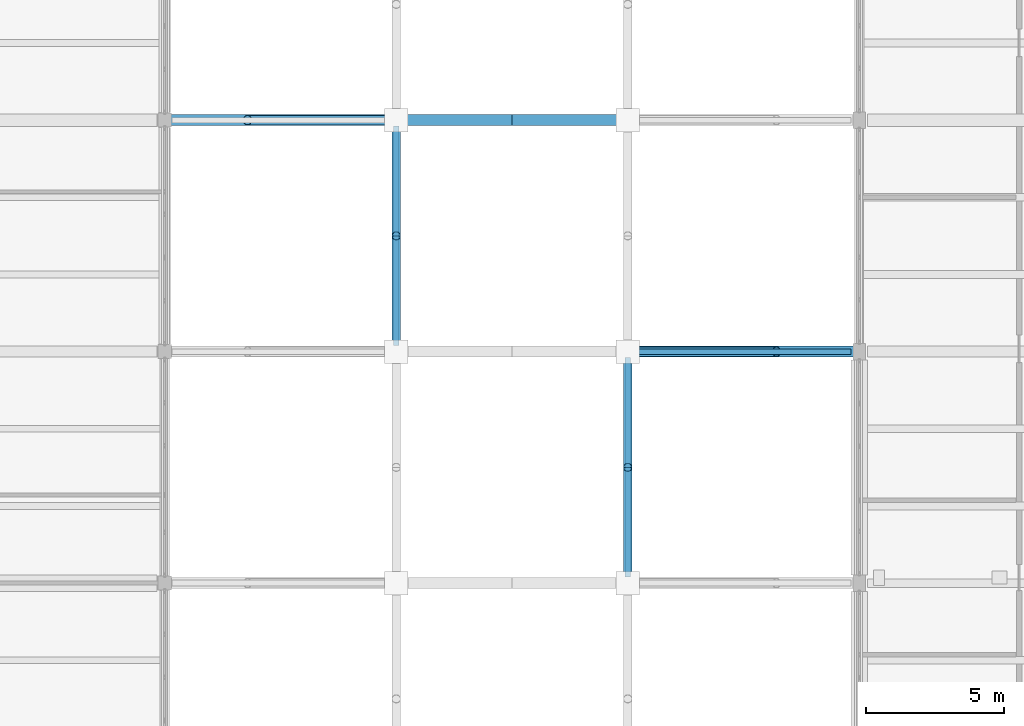
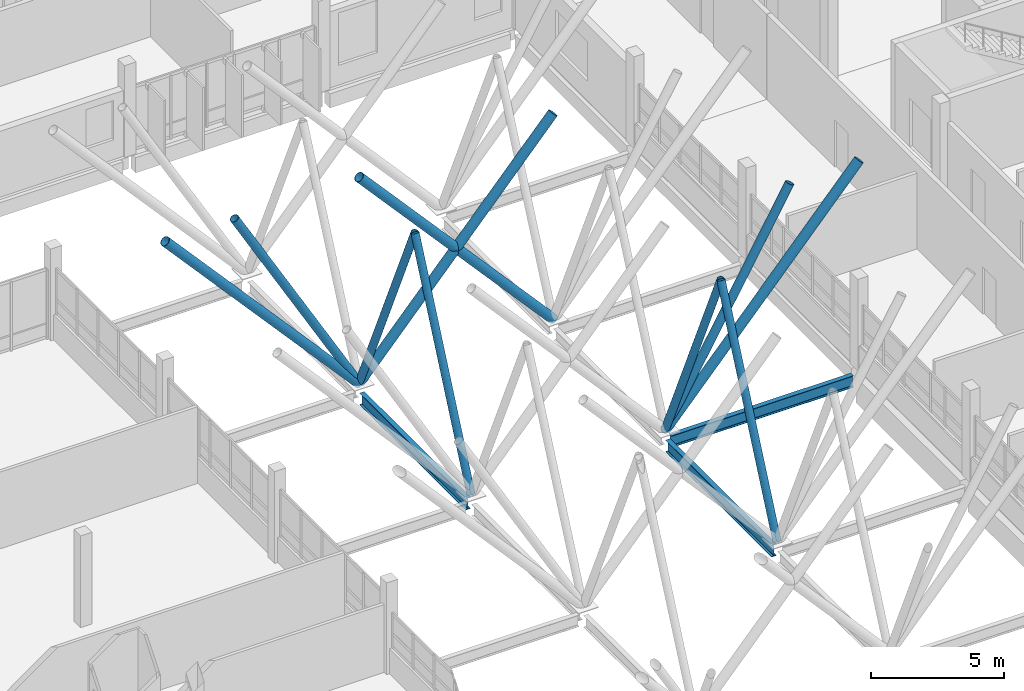
# One storey, part 27 of 107: 10 members, 3 beams.
"""IFC4 building model written with IfcOpenShell, lengths in metres."""

import ifcopenshell
import ifcopenshell.guid

model = None  # the IFC model being written
_history = None  # IfcOwnerHistory: only IFC2X3 demands one
_inside = {}  # id of a spatial element -> (the spatial element, [elements in it])
_under = {}  # id of a project, library or spatial element -> (it, [spatial elements below it])
_declared = {}  # id of a project -> (the project, [libraries it declares])
_typed = {}  # id of a type object -> (the type object, [elements of that type])
_made_of = {}  # id of a material, layer set ... -> (it, [elements and type objects made of it])


def new_model(schema):
    """Start an empty IFC model of exactly this schema.

    Asked for "IFC4X3", IfcOpenShell would pick the latest addendum, in which some entities
    have other attributes; the version numbers below select the first issue.
    IFC2X3 requires an IfcOwnerHistory on every rooted entity: one is made here for all.
    """
    global model, _history
    if schema == "IFC4X3":
        model = ifcopenshell.file(schema_version=(4, 3, 0, 0))
    else:
        model = ifcopenshell.file(schema=schema)
    _inside.clear()
    _under.clear()
    _declared.clear()
    _typed.clear()
    _made_of.clear()
    _history = None
    if model.schema == "IFC2X3":
        org = make("IfcOrganization", Name="unknown")
        user = make(
            "IfcPersonAndOrganization",
            ThePerson=make("IfcPerson", FamilyName="unknown"),
            TheOrganization=org,
        )
        app = make(
            "IfcApplication",
            ApplicationDeveloper=org,
            Version="unknown",
            ApplicationFullName="unknown",
            ApplicationIdentifier="unknown",
        )
        _history = make(
            "IfcOwnerHistory",
            OwningUser=user,
            OwningApplication=app,
            ChangeAction="ADDED",
            CreationDate=0,
        )
    return model


def make(cls, **values):
    """One entity of the class cls with the attributes given. An attribute that is None is left unset."""
    return model.create_entity(
        cls, **{name: value for name, value in values.items() if value is not None}
    )


def rooted(cls, **values):
    """An entity with a GlobalId (a new one), such as an element, a storey or a relation."""
    return make(cls, GlobalId=ifcopenshell.guid.new(), OwnerHistory=_history, **values)


def si_unit(unit_type, name, prefix=None):
    """IfcSIUnit, for example si_unit("LENGTHUNIT", "METRE", prefix="MILLI")."""
    return make("IfcSIUnit", UnitType=unit_type, Prefix=prefix, Name=name)


def assignment(units):
    """IfcUnitAssignment: the units of a project."""
    return None if units is None else make("IfcUnitAssignment", Units=units)


def point(xyz):
    """IfcCartesianPoint."""
    return None if xyz is None else make("IfcCartesianPoint", Coordinates=xyz)


def direction(xyz):
    """IfcDirection."""
    return None if xyz is None else make("IfcDirection", DirectionRatios=xyz)


def frame(location, z_axis=None, x_axis=None):
    """IfcAxis2Placement3D, a coordinate frame: its origin and axes. An axis left out is left unset."""
    return make(
        "IfcAxis2Placement3D",
        Location=point(location),
        Axis=direction(z_axis),
        RefDirection=direction(x_axis),
    )


def frame_2d(location, x_axis=None):
    """IfcAxis2Placement2D, a coordinate frame in the plane: its origin and x axis."""
    return make(
        "IfcAxis2Placement2D", Location=point(location), RefDirection=direction(x_axis)
    )


def origin():
    """The frame at (0, 0, 0) with its axes left unset."""
    return frame((0.0, 0.0, 0.0))


def origin_2d():
    """The frame at (0, 0) in the plane with its x axis left unset."""
    return frame_2d((0.0, 0.0))


def place(relative_to, where):
    """IfcLocalPlacement: puts the frame where relative to a parent placement (None: the world)."""
    return make(
        "IfcLocalPlacement", PlacementRelTo=relative_to, RelativePlacement=where
    )


def context(
    kind, dimensions, precision=None, world=None, true_north=None, identifier=None
):
    """IfcGeometricRepresentationContext, for example the 3D "Model" context."""
    return make(
        "IfcGeometricRepresentationContext",
        ContextIdentifier=identifier,
        ContextType=kind,
        CoordinateSpaceDimension=dimensions,
        Precision=precision,
        WorldCoordinateSystem=world,
        TrueNorth=true_north,
    )


def subcontext(parent, identifier, kind, view, scale=None):
    """IfcGeometricRepresentationSubContext, for example "Body" below "Model"."""
    return make(
        "IfcGeometricRepresentationSubContext",
        ContextIdentifier=identifier,
        ContextType=kind,
        ParentContext=parent,
        TargetScale=scale,
        TargetView=view,
    )


def project(units=None, contexts=None):
    """IfcProject with its units and contexts."""
    return rooted(
        "IfcProject",
        Name="project",
        RepresentationContexts=contexts,
        UnitsInContext=assignment(units),
    )


def spatial(cls, under=None, at=None, **own):
    """A site, building, storey or space (cls), placed at a placement, below another one or the project."""
    s = rooted(cls, ObjectPlacement=at, **own)
    if under is not None:
        _under.setdefault(under.id(), (under, []))[1].append(s)
    return s


def profile(cls, at=None, kind="AREA", **sizes):
    """A parametric profile (cls). Its sizes go by their IFC names, for example OverallWidth=200.0."""
    return make(cls, ProfileType=kind, Position=at, **sizes)


def hollow_circle(**sizes):
    """IfcCircleHollowProfileDef."""
    return profile("IfcCircleHollowProfileDef", **sizes)


def i_section(**sizes):
    """IfcIShapeProfileDef."""
    return profile("IfcIShapeProfileDef", **sizes)


def extrude(swept, where, along, depth):
    """IfcExtrudedAreaSolid: the profile swept, set in the frame where, extruded along a direction by depth."""
    return make(
        "IfcExtrudedAreaSolid",
        SweptArea=swept,
        Position=where,
        ExtrudedDirection=direction(along),
        Depth=depth,
    )


def shape(context_of_items, identifier, shape_type, items):
    """IfcShapeRepresentation: the items that make up one representation, for example the "Body"."""
    return make(
        "IfcShapeRepresentation",
        ContextOfItems=context_of_items,
        RepresentationIdentifier=identifier,
        RepresentationType=shape_type,
        Items=items,
    )


def material(Name=None, Category=None):
    """IfcMaterial."""
    return make("IfcMaterial", Name=Name, Category=Category)


def material_profile(
    of_material, cross_section, Name=None, Category=None, Priority=None
):
    """IfcMaterialProfile: a cross section and its material."""
    return make(
        "IfcMaterialProfile",
        Name=Name,
        Material=of_material,
        Profile=cross_section,
        Priority=Priority,
        Category=Category,
    )


def profile_set(profiles, Name=None, composite=None):
    """IfcMaterialProfileSet."""
    return make(
        "IfcMaterialProfileSet",
        Name=Name,
        MaterialProfiles=profiles,
        CompositeProfile=composite,
    )


def made_of(thing, what):
    """Note that an element or type object is made of a material, layer set ...; save() writes the relation."""
    if what is not None:
        _made_of.setdefault(what.id(), (what, []))[1].append(thing)
    return thing


def type_object(cls, material=None, **own):
    """A type object (cls), such as IfcWallType, which elements share."""
    return made_of(rooted(cls, **own), material)


def element(
    cls,
    number,
    at=None,
    inside=None,
    cuts=None,
    type_object=None,
    material=None,
    context=None,
    identifier="Body",
    shape_type=None,
    held_by="IfcProductDefinitionShape",
    body=None,
    shapes=None,
    **own,
):
    """One element of the class cls, such as IfcWall. Its Tag is "e" and its number.

    at: its placement. inside: the storey or other place that contains it. cuts: it is an
    opening in that element (IfcRelVoidsElement). A single representation is given by context,
    identifier, shape_type and body (its items); several are given by shapes. held_by: the class
    of the entity that holds the representations. save() writes the other relations.
    """
    e = rooted(cls, Tag="e%d" % number, ObjectPlacement=at, **own)
    if body is not None:
        shapes = [shape(context, identifier, shape_type, body)]
    if shapes is not None:
        e.Representation = make(held_by, Representations=shapes)
    if inside is not None:
        _inside.setdefault(inside.id(), (inside, []))[1].append(e)
    if cuts is not None:
        rooted(
            "IfcRelVoidsElement", RelatingBuildingElement=cuts, RelatedOpeningElement=e
        )
    if type_object is not None:
        _typed.setdefault(type_object.id(), (type_object, []))[1].append(e)
    return made_of(e, material)


def aggregate(whole, parts):
    """IfcRelAggregates: a whole, such as a stair, and the parts it consists of."""
    return rooted("IfcRelAggregates", RelatingObject=whole, RelatedObjects=parts)


def save(model, path):
    """Write the relations noted so far, then the file.

    IfcRelAggregates (storeys below a building ...), IfcRelContainedInSpatialStructure (elements
    in a storey), IfcRelDefinesByType, IfcRelAssociatesMaterial and IfcRelDeclares: one each for
    every whole, place, type object, material and project.
    """
    for whole, parts in _under.values():
        aggregate(whole, parts)
    for where, things in _inside.values():
        rooted(
            "IfcRelContainedInSpatialStructure",
            RelatedElements=things,
            RelatingStructure=where,
        )
    for kind, things in _typed.values():
        rooted("IfcRelDefinesByType", RelatedObjects=things, RelatingType=kind)
    for what, things in _made_of.values():
        rooted("IfcRelAssociatesMaterial", RelatedObjects=things, RelatingMaterial=what)
    for by, libraries in _declared.values():
        rooted("IfcRelDeclares", RelatingContext=by, RelatedDefinitions=libraries)
    model.write(path)


model = new_model("IFC4")

# Units and contexts
model_context = context("Model", 3, precision=1e-05, world=origin(), true_north=direction((0.0, 1.0)))
body_context = subcontext(model_context, "Body", "Model", "MODEL_VIEW")
ifc_project = project(units=[si_unit("LENGTHUNIT", "METRE"), si_unit("AREAUNIT", "SQUARE_METRE"), si_unit("VOLUMEUNIT", "CUBIC_METRE"), si_unit("PLANEANGLEUNIT", "RADIAN"), si_unit("MASSUNIT", "GRAM", prefix="KILO")], contexts=[model_context])

# Site, building, storey
site_placement = place(None, origin())
site = spatial("IfcSite", under=ifc_project, at=site_placement, CompositionType="ELEMENT")
building_placement = place(site_placement, origin())
building = spatial("IfcBuilding", under=site, at=building_placement, Name="Vireocrest Preparatory School", CompositionType="ELEMENT")
storey_placement = place(building_placement, frame((0.0, 0.0, 13.199951171875)))
storey = spatial("IfcBuildingStorey", under=building, at=storey_placement, Name="L03", CompositionType="ELEMENT", Elevation=13.199951171875)

# Beams
ifc_material_1 = material(Name="Structural steel ASTM A992 Grade 50", Category="steel")
ifc_material_profile_1 = material_profile(ifc_material_1, i_section(OverallWidth=0.208984375, OverallDepth=0.532958984375, WebThickness=0.01025390625, FlangeThickness=0.015625, FilletRadius=0.014892578125, at=origin_2d()), Name="W21X62")
ifc_profile_set_1 = profile_set([ifc_material_profile_1], Name="Structural steel ASTM A992 Grade 50")
beam_type = type_object("IfcBeamType", Name="Court Tie Girder W21X62", PredefinedType="BEAM", material=ifc_profile_set_1)
beam_placement = place(storey_placement, frame((84.2236328125, 69.0, -0.56640625), z_axis=(1.0, 0.0, 0.0), x_axis=(0.0, 1.0, 0.0)))
element("IfcBeam", 1, at=beam_placement, inside=storey, type_object=beam_type, Name="Court Trunk Lateral Tie Girder SB5 E6 L03", PredefinedType="BEAM", context=body_context, shape_type="SweptSolid", body=[
    extrude(i_section(OverallWidth=0.208984375, OverallDepth=0.532958984375, WebThickness=0.01025390625, FlangeThickness=0.015625, FilletRadius=0.014892578125, at=origin_2d()), origin(), (0.0, 0.0, 1.0), 7.88134765625),
])
for number, where, z_axis, x_axis, name in (
    (2, (84.0, 60.820068359375, -0.56640625), (0.0, 1.0, 0.0), (-1.0, 0.0, 0.0), "Court Trunk Spine Girder SB5 E5 L03"),
    (3, (75.60009765625, 69.219970703125, -0.56640625), (0.0, 1.0, 0.0), (-1.0, 0.0, 0.0), "Court Trunk Spine Girder SB5 W6 L03"),
):
    element("IfcBeam", number, at=place(storey_placement, frame(where, z_axis=z_axis, x_axis=x_axis)), inside=storey, type_object=beam_type, Name=name, PredefinedType="BEAM", context=body_context, shape_type="SweptSolid", body=[
        extrude(i_section(OverallWidth=0.208984375, OverallDepth=0.532958984375, WebThickness=0.01025390625, FlangeThickness=0.015625, FilletRadius=0.014892578125, at=origin_2d()), origin(), (0.0, 0.0, 1.0), 7.9599609375),
    ])

# Members
ifc_material_2 = material(Name="Painted white steel ASTM A500 Grade C", Category="steel")
ifc_material_profile_2 = material_profile(ifc_material_2, hollow_circle(Radius=0.161865234375, WallThickness=0.0126953125, at=origin_2d()), Name="HSS12.750X0.500")
ifc_profile_set_2 = profile_set([ifc_material_profile_2], Name="Painted white steel ASTM A500 Grade C")
member_type_1 = type_object("IfcMemberType", Name="White Steel Canopy Tie Strut HSS12.750X0.500", PredefinedType="USERDEFINED", material=ifc_profile_set_2)
for number, where, z_axis, x_axis, name in (
    (4, (84.0, 60.60009765625, -0.0048828125), (0.0, 0.407216567456, 0.913331630455), (-1.0, 0.0, 0.0), "Longitudinal V-Strut VS2 E5-N"),
    (5, (75.60009765625, 69.0, -0.0048828125), (0.0, 0.407216567456, 0.913331630455), (-1.0, 0.0, 0.0), "Longitudinal V-Strut VS2 W6-N"),
    (6, (84.0, 69.0, -0.0048828125), (0.0, -0.407216567456, 0.913331630455), (1.0, 0.0, 0.0), "Longitudinal V-Strut VS2 E6-S"),
    (7, (75.60009765625, 77.39990234375, -0.0048828125), (0.0, -0.407216567456, 0.913331630455), (1.0, 0.0, 0.0), "Longitudinal V-Strut VS2 W7-S"),
):
    element("IfcMember", number, at=place(storey_placement, frame(where, z_axis=z_axis, x_axis=x_axis)), inside=storey, type_object=member_type_1, Name=name, ObjectType="STRUT", PredefinedType="USERDEFINED", context=body_context, shape_type="SweptSolid", body=[
        extrude(hollow_circle(Radius=0.161865234375, WallThickness=0.0126953125, at=origin_2d()), origin(), (0.0, 0.0, 1.0), 10.313720703125),
    ])
ifc_material_profile_3 = material_profile(ifc_material_2, hollow_circle(Radius=0.177734375, WallThickness=0.0126953125, at=origin_2d()), Name="HSS14.000X0.500")
ifc_profile_set_3 = profile_set([ifc_material_profile_3], Name="Painted white steel ASTM A500 Grade C")
member_type_2 = type_object("IfcMemberType", Name="White Steel Canopy V-Strut HSS14.000X0.500", PredefinedType="USERDEFINED", material=ifc_profile_set_3)
member_1_placement = place(storey_placement, frame((84.0, 69.0, -0.010009765625), z_axis=(0.496917813622, 0.0, 0.867797606879), x_axis=(0.0, 1.0, 0.0)))
element("IfcMember", 8, at=member_1_placement, inside=storey, type_object=member_type_2, Name="White Steel V-Strut VS1 E6", ObjectType="STRUT", PredefinedType="USERDEFINED", context=body_context, shape_type="SweptSolid", body=[
    extrude(hollow_circle(Radius=0.177734375, WallThickness=0.0126953125, at=origin_2d()), origin(), (0.0, 0.0, 1.0), 10.86669921875),
])
member_2_placement = place(storey_placement, frame((75.60009765625, 77.39990234375, -0.010009765625), z_axis=(-0.496934732374, 0.0, 0.867787918653), x_axis=(0.0, -1.0, 0.0)))
element("IfcMember", 9, at=member_2_placement, inside=storey, type_object=member_type_2, Name="White Steel V-Strut VS1 W7", ObjectType="STRUT", PredefinedType="USERDEFINED", context=body_context, shape_type="SweptSolid", body=[
    extrude(hollow_circle(Radius=0.177734375, WallThickness=0.0126953125, at=origin_2d()), origin(), (0.0, 0.0, 1.0), 10.866943359375),
])
ifc_material_profile_4 = material_profile(ifc_material_2, hollow_circle(Radius=0.203125, WallThickness=0.0126953125, at=origin_2d()), Name="HSS16.000X0.500")
ifc_profile_set_4 = profile_set([ifc_material_profile_4], Name="Painted white steel ASTM A500 Grade C")
member_type_3 = type_object("IfcMemberType", Name="White Steel V-Column Branch HSS16.000X0.500", PredefinedType="USERDEFINED", material=ifc_profile_set_4)
for number, where, z_axis, x_axis, name in (
    (10, (84.0, 69.0, -0.010009765625), (0.665138630213, 0.0, 0.746719895676), (0.0, 1.0, 0.0), "White Steel V-Column Branch VC3 E6-A2"),
    (11, (75.60009765625, 77.39990234375, -0.010009765625), (-0.665149409377, 0.0, 0.746710294027), (0.0, -1.0, 0.0), "White Steel V-Column Branch VC3 W7-A1"),
    (12, (75.60009765625, 77.39990234375, -0.010009765625), (0.665138630213, 0.0, 0.746719895676), (0.0, 1.0, 0.0), "White Steel V-Column Branch VC3 W7-A2"),
    (13, (84.0, 77.39990234375, -0.010009765625), (-0.665138630213, 0.0, 0.746719895676), (0.0, -1.0, 0.0), "White Steel V-Column Branch VC3 E7-A1"),
):
    element("IfcMember", number, at=place(storey_placement, frame(where, z_axis=z_axis, x_axis=x_axis)), inside=storey, type_object=member_type_3, Name=name, ObjectType="STRUT", PredefinedType="USERDEFINED", context=body_context, shape_type="SweptSolid", body=[
        extrude(hollow_circle(Radius=0.203125, WallThickness=0.0126953125, at=origin_2d()), origin(), (0.0, 0.0, 1.0), 12.62890625),
    ])

save(model, "model.ifc")
